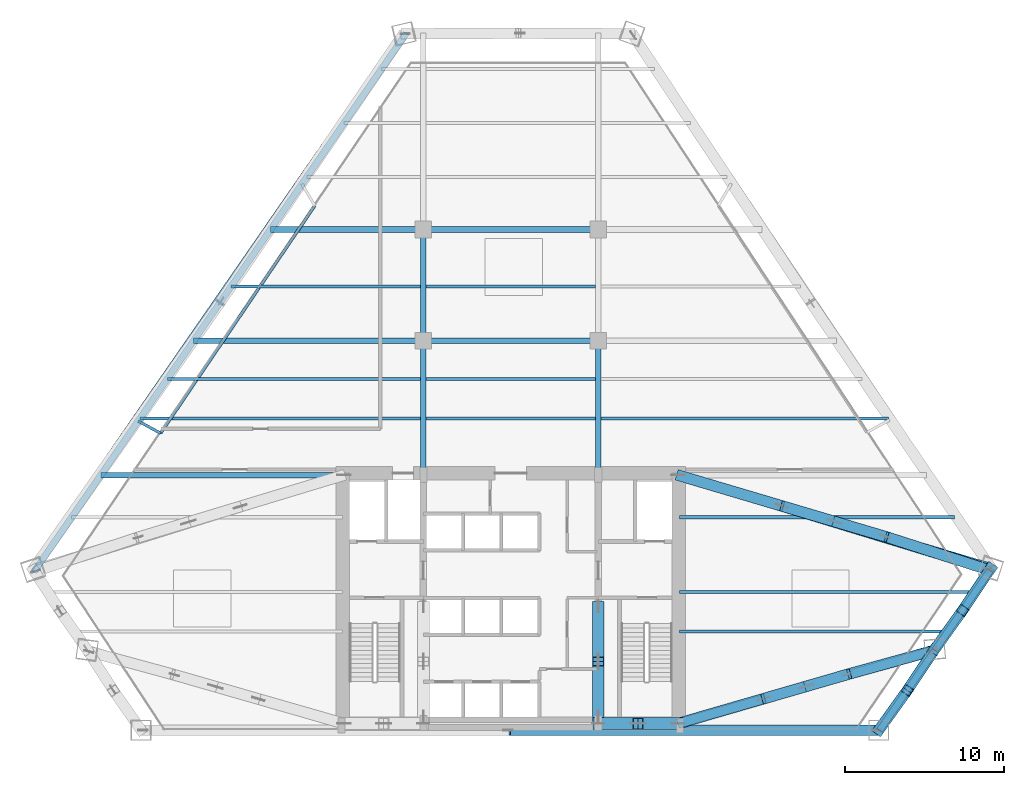
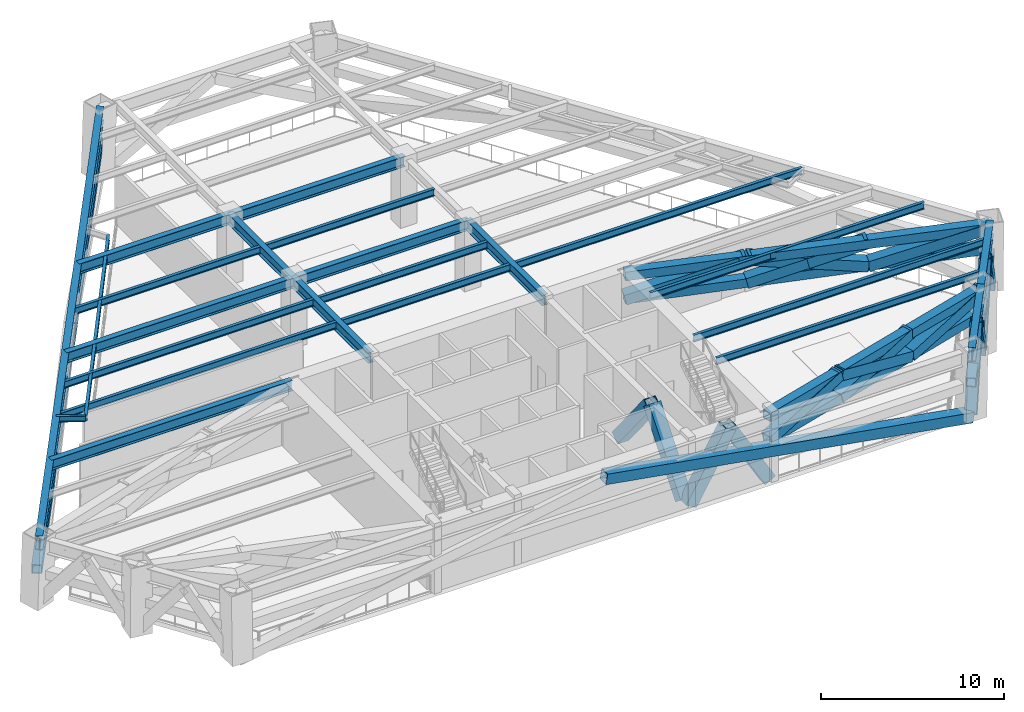
# One storey, part 2 of 10: 26 members, 23 beams.
"""IFC4 building model written with IfcOpenShell, lengths in metres."""

from ifc_helpers import new_model, si_unit, direction, frame, origin, origin_2d, place, context, subcontext, project, spatial, hollow_rectangle, i_section, extrude, source, transform, mapped, material, material_profile, profile_set, type_object, type_shapes, element, save


model = new_model("IFC4")

# Units and contexts
model_context = context("Model", 3, precision=1e-05, world=origin(), true_north=direction((0.0, 1.0)))
body_context = subcontext(model_context, "Body", "Model", "MODEL_VIEW")
ifc_project = project(units=[si_unit("LENGTHUNIT", "METRE"), si_unit("AREAUNIT", "SQUARE_METRE"), si_unit("VOLUMEUNIT", "CUBIC_METRE"), si_unit("PLANEANGLEUNIT", "RADIAN"), si_unit("MASSUNIT", "GRAM", prefix="KILO")], contexts=[model_context])

# Site, building, storey
site_placement = place(None, origin())
site = spatial("IfcSite", under=ifc_project, at=site_placement, CompositionType="ELEMENT")
building_placement = place(site_placement, origin())
building = spatial("IfcBuilding", under=site, at=building_placement, Name="Varnakhor Terracotta Tower", CompositionType="ELEMENT")
storey_placement = place(building_placement, frame((0.0, 0.0, 71.89990234375)))
storey = spatial("IfcBuildingStorey", under=building, at=storey_placement, Name="L17", CompositionType="ELEMENT", Elevation=71.89990234375)

# Beams
ifc_material_1 = material(Name="Steel S355", Category="steel")
ifc_material_profile_1 = material_profile(ifc_material_1, i_section(OverallWidth=0.35498046875, OverallDepth=0.695068359375, WebThickness=0.014892578125, FlangeThickness=0.02490234375, FilletRadius=0.01806640625, at=origin_2d()), Name="W27X146")
ifc_profile_set_1 = profile_set([ifc_material_profile_1], Name="Steel S355")
beam_type_1 = type_object("IfcBeamType", Name="BM-W27X146", PredefinedType="BEAM", material=ifc_profile_set_1)
shared_shape_1 = source(origin(), body_context, "Body", "SweptSolid", [
    extrude(i_section(OverallWidth=0.35498046875, OverallDepth=0.695068359375, WebThickness=0.014892578125, FlangeThickness=0.02490234375, FilletRadius=0.01806640625, at=origin_2d()), origin(), (0.0, 0.0, 1.0), 8.449951171875),
])
type_shapes(beam_type_1, [shared_shape_1])
for number, where, z_axis, x_axis, name in (
    (1, (-5.5, 16.050048828125, 4.1025390625), (0.0, 1.0, 0.0), (-1.0, 0.0, 0.0), "L17 Primary Girder NS1-W"),
    (2, (5.5, 16.050048828125, 4.1025390625), (0.0, 1.0, 0.0), (-1.0, 0.0, 0.0), "L17 Primary Girder NS1-E"),
):
    element("IfcBeam", number, at=place(storey_placement, frame(where, z_axis=z_axis, x_axis=x_axis)), inside=storey, type_object=beam_type_1, Name=name, PredefinedType="BEAM", context=body_context, shape_type="MappedRepresentation", body=[
        mapped(shared_shape_1, transform((0.0, 0.0, 0.0), scale=1.0)),
    ])
shared_shape_2 = source(origin(), body_context, "Body", "SweptSolid", [
    extrude(i_section(OverallWidth=0.35498046875, OverallDepth=0.695068359375, WebThickness=0.014892578125, FlangeThickness=0.02490234375, FilletRadius=0.01806640625, at=origin_2d()), origin(), (0.0, 0.0, 1.0), 7.0),
])
beam_1_placement = place(storey_placement, frame((-5.5, 24.5, 4.1025390625), z_axis=(0.0, 1.0, 0.0), x_axis=(-1.0, 0.0, 0.0)))
element("IfcBeam", 3, at=beam_1_placement, inside=storey, type_object=beam_type_1, Name="L17 Primary Girder NS2-W", PredefinedType="BEAM", context=body_context, shape_type="MappedRepresentation", body=[
    mapped(shared_shape_2, transform((0.0, 0.0, 0.0), scale=1.0)),
])
shared_shape_3 = source(origin(), body_context, "Body", "SweptSolid", [
    extrude(i_section(OverallWidth=0.35498046875, OverallDepth=0.695068359375, WebThickness=0.014892578125, FlangeThickness=0.02490234375, FilletRadius=0.01806640625, at=origin_2d()), origin(), (0.0, 0.0, 1.0), 11.0),
])
for number, where, z_axis, x_axis, name in (
    (4, (-5.5, 24.5, 4.1025390625), (1.0, 0.0, 0.0), (0.0, 1.0, 0.0), "L17 Primary Girder EW2-2"),
    (5, (-5.5, 31.5, 4.1025390625), (1.0, 0.0, 0.0), (0.0, 1.0, 0.0), "L17 Primary Girder EW3-2"),
):
    element("IfcBeam", number, at=place(storey_placement, frame(where, z_axis=z_axis, x_axis=x_axis)), inside=storey, type_object=beam_type_1, Name=name, PredefinedType="BEAM", context=body_context, shape_type="MappedRepresentation", body=[
        mapped(shared_shape_3, transform((0.0, 0.0, 0.0), scale=1.0)),
    ])
ifc_material_profile_2 = material_profile(ifc_material_1, i_section(OverallWidth=0.19189453125, OverallDepth=0.462890625, WebThickness=0.010498046875, FlangeThickness=0.017578125, FilletRadius=0.01806640625, at=origin_2d()), Name="W18X60")
ifc_profile_set_2 = profile_set([ifc_material_profile_2], Name="Steel S355")
beam_type_2 = type_object("IfcBeamType", Name="JST-W18X60", PredefinedType="JOIST", material=ifc_profile_set_2)
shared_shape_4 = source(origin(), body_context, "Body", "SweptSolid", [
    extrude(i_section(OverallWidth=0.19189453125, OverallDepth=0.462890625, WebThickness=0.010498046875, FlangeThickness=0.017578125, FilletRadius=0.01806640625, at=origin_2d()), origin(), (0.0, 0.0, 1.0), 10.65283203125),
])
for number, where, z_axis, x_axis, name in (
    (6, (-5.326416015625, 19.60009765625, 4.218505859375), (1.0, 0.0, 0.0), (0.0, 1.0, 0.0), "L17 Composite Floor Joist 4-2"),
    (7, (-5.326416015625, 22.10009765625, 4.218505859375), (1.0, 0.0, 0.0), (0.0, 1.0, 0.0), "L17 Composite Floor Joist 5-2"),
    (8, (-5.326416015625, 27.89990234375, 4.218505859375), (1.0, 0.0, 0.0), (0.0, 1.0, 0.0), "L17 Composite Floor Joist 6-2"),
):
    element("IfcBeam", number, at=place(storey_placement, frame(where, z_axis=z_axis, x_axis=x_axis)), inside=storey, type_object=beam_type_2, Name=name, PredefinedType="JOIST", context=body_context, shape_type="MappedRepresentation", body=[
        mapped(shared_shape_4, transform((0.0, 0.0, 0.0), scale=1.0)),
    ])
ifc_material_profile_3 = material_profile(ifc_material_1, i_section(OverallWidth=0.41796875, OverallDepth=0.927001953125, WebThickness=0.01904296875, FlangeThickness=0.031982421875, FilletRadius=0.01806640625, at=origin_2d()), Name="W36X231")
ifc_profile_set_3 = profile_set([ifc_material_profile_3], Name="Steel S355")
beam_type_3 = type_object("IfcBeamType", Name="BM-W36X231", PredefinedType="BEAM", material=ifc_profile_set_3)
shared_shape_5 = source(origin(), body_context, "Body", "SweptSolid", [
    extrude(i_section(OverallWidth=0.41796875, OverallDepth=0.927001953125, WebThickness=0.01904296875, FlangeThickness=0.031982421875, FilletRadius=0.01806640625, at=origin_2d()), origin(), (0.0, 0.0, 1.0), 6.113037109375),
])
beam_2_placement = place(storey_placement, frame((23.199462890625, 0.0, 3.986572265625), z_axis=(0.568584718584, 0.822624712608, 0.0), x_axis=(-0.822624712608, 0.568584718584, 0.0)))
element("IfcBeam", 9, at=beam_2_placement, inside=storey, type_object=beam_type_3, Name="L17 Perimeter Spandrel 2", PredefinedType="BEAM", context=body_context, shape_type="MappedRepresentation", body=[
    mapped(shared_shape_5, transform((0.0, 0.0, 0.0), scale=1.0)),
])
shared_shape_6 = source(origin(), body_context, "Body", "SweptSolid", [
    extrude(i_section(OverallWidth=0.41796875, OverallDepth=0.927001953125, WebThickness=0.01904296875, FlangeThickness=0.031982421875, FilletRadius=0.01806640625, at=origin_2d()), origin(), (0.0, 0.0, 1.0), 6.11279296875),
])
beam_3_placement = place(storey_placement, frame((26.67529296875, 5.02880859375, 3.986572265625), z_axis=(0.568576372049, 0.822630481533, 0.0), x_axis=(-0.822630481533, 0.568576372049, 0.0)))
element("IfcBeam", 10, at=beam_3_placement, inside=storey, type_object=beam_type_3, Name="L17 Perimeter Spandrel 3", PredefinedType="BEAM", context=body_context, shape_type="MappedRepresentation", body=[
    mapped(shared_shape_6, transform((0.0, 0.0, 0.0), scale=1.0)),
])
shared_shape_7 = source(origin(), body_context, "Body", "SweptSolid", [
    extrude(i_section(OverallWidth=0.41796875, OverallDepth=0.927001953125, WebThickness=0.01904296875, FlangeThickness=0.031982421875, FilletRadius=0.01806640625, at=origin_2d()), origin(), (0.0, 0.0, 1.0), 41.182861328125),
])
beam_4_placement = place(storey_placement, frame((-6.580078125, 43.84375, 3.986572265625), z_axis=(-0.568587115703, -0.822623055753, 0.0), x_axis=(0.822623055753, -0.568587115703, 0.0)))
element("IfcBeam", 11, at=beam_4_placement, inside=storey, type_object=beam_type_3, Name="L17 Perimeter Spandrel 6", PredefinedType="BEAM", context=body_context, shape_type="MappedRepresentation", body=[
    mapped(shared_shape_7, transform((0.0, 0.0, 0.0), scale=1.0)),
])
ifc_material_profile_4 = material_profile(ifc_material_1, i_section(OverallWidth=0.179931640625, OverallDepth=0.39990234375, WebThickness=0.008544921875, FlangeThickness=0.013427734375, FilletRadius=0.01806640625, at=origin_2d()), Name="IPE400")
ifc_profile_set_4 = profile_set([ifc_material_profile_4], Name="Steel S355")
beam_type_4 = type_object("IfcBeamType", Name="JST-IPE400", PredefinedType="JOIST", material=ifc_profile_set_4)
shared_shape_8 = source(origin(), body_context, "Body", "SweptSolid", [
    extrude(i_section(OverallWidth=0.179931640625, OverallDepth=0.39990234375, WebThickness=0.008544921875, FlangeThickness=0.013427734375, FilletRadius=0.01806640625, at=origin_2d()), origin(), (0.0, 0.0, 1.0), 17.290771484375),
])
beam_5_placement = place(storey_placement, frame((-12.330810546875, 32.995361328125, 4.25), z_axis=(-0.560888730918, -0.827891195465, 0.0), x_axis=(0.827891195465, -0.560888730918, 0.0)))
element("IfcBeam", 12, at=beam_5_placement, inside=storey, type_object=beam_type_4, Name="L17 Loggia Edge Beam 2", PredefinedType="JOIST", context=body_context, shape_type="MappedRepresentation", body=[
    mapped(shared_shape_8, transform((0.0, 0.0, 0.0), scale=1.0)),
])
shared_shape_9 = source(origin(), body_context, "Body", "SweptSolid", [
    extrude(i_section(OverallWidth=0.35498046875, OverallDepth=0.695068359375, WebThickness=0.014892578125, FlangeThickness=0.02490234375, FilletRadius=0.01806640625, at=origin_2d()), origin(), (0.0, 0.0, 1.0), 15.240966796875),
])
beam_6_placement = place(storey_placement, frame((-25.791015625, 16.050048828125, 4.1025390625), z_axis=(1.0, 0.0, 0.0), x_axis=(0.0, 1.0, 0.0)))
element("IfcBeam", 13, at=beam_6_placement, inside=storey, type_object=beam_type_1, Name="L17 Wing Girder W", PredefinedType="BEAM", context=body_context, shape_type="MappedRepresentation", body=[
    mapped(shared_shape_9, transform((0.0, 0.0, 0.0), scale=1.0)),
])
shared_shape_10 = source(origin(), body_context, "Body", "SweptSolid", [
    extrude(i_section(OverallWidth=0.35498046875, OverallDepth=0.695068359375, WebThickness=0.014892578125, FlangeThickness=0.02490234375, FilletRadius=0.01806640625, at=origin_2d()), origin(), (0.0, 0.0, 1.0), 14.450439453125),
])
beam_7_placement = place(storey_placement, frame((-19.950439453125, 24.5, 4.1025390625), z_axis=(1.0, 0.0, 0.0), x_axis=(0.0, 1.0, 0.0)))
element("IfcBeam", 14, at=beam_7_placement, inside=storey, type_object=beam_type_1, Name="L17 Primary Girder EW2-1", PredefinedType="BEAM", context=body_context, shape_type="MappedRepresentation", body=[
    mapped(shared_shape_10, transform((0.0, 0.0, 0.0), scale=1.0)),
])
shared_shape_11 = source(origin(), body_context, "Body", "SweptSolid", [
    extrude(i_section(OverallWidth=0.35498046875, OverallDepth=0.695068359375, WebThickness=0.014892578125, FlangeThickness=0.02490234375, FilletRadius=0.01806640625, at=origin_2d()), origin(), (0.0, 0.0, 1.0), 9.612060546875),
])
beam_8_placement = place(storey_placement, frame((-15.112060546875, 31.5, 4.1025390625), z_axis=(1.0, 0.0, 0.0), x_axis=(0.0, 1.0, 0.0)))
element("IfcBeam", 15, at=beam_8_placement, inside=storey, type_object=beam_type_1, Name="L17 Primary Girder EW3-1", PredefinedType="BEAM", context=body_context, shape_type="MappedRepresentation", body=[
    mapped(shared_shape_11, transform((0.0, 0.0, 0.0), scale=1.0)),
])
shared_shape_12 = source(origin(), body_context, "Body", "SweptSolid", [
    extrude(i_section(OverallWidth=0.19189453125, OverallDepth=0.462890625, WebThickness=0.010498046875, FlangeThickness=0.017578125, FilletRadius=0.01806640625, at=origin_2d()), origin(), (0.0, 0.0, 1.0), 16.884765625),
])
beam_9_placement = place(storey_placement, frame((10.60009765625, 6.199951171875, 4.218505859375), z_axis=(1.0, 0.0, 0.0), x_axis=(0.0, 1.0, 0.0)))
element("IfcBeam", 16, at=beam_9_placement, inside=storey, type_object=beam_type_2, Name="L17 Floor Joist E1", PredefinedType="JOIST", context=body_context, shape_type="MappedRepresentation", body=[
    mapped(shared_shape_12, transform((0.0, 0.0, 0.0), scale=1.0)),
])
shared_shape_13 = source(origin(), body_context, "Body", "SweptSolid", [
    extrude(i_section(OverallWidth=0.19189453125, OverallDepth=0.462890625, WebThickness=0.010498046875, FlangeThickness=0.017578125, FilletRadius=0.01806640625, at=origin_2d()), origin(), (0.0, 0.0, 1.0), 18.61279296875),
])
beam_10_placement = place(storey_placement, frame((10.60009765625, 8.699951171875, 4.218505859375), z_axis=(1.0, 0.0, 0.0), x_axis=(0.0, 1.0, 0.0)))
element("IfcBeam", 17, at=beam_10_placement, inside=storey, type_object=beam_type_2, Name="L17 Floor Joist E2", PredefinedType="JOIST", context=body_context, shape_type="MappedRepresentation", body=[
    mapped(shared_shape_13, transform((0.0, 0.0, 0.0), scale=1.0)),
])
shared_shape_14 = source(origin(), body_context, "Body", "SweptSolid", [
    extrude(i_section(OverallWidth=0.19189453125, OverallDepth=0.462890625, WebThickness=0.010498046875, FlangeThickness=0.017578125, FilletRadius=0.01806640625, at=origin_2d()), origin(), (0.0, 0.0, 1.0), 17.31298828125),
])
beam_11_placement = place(storey_placement, frame((10.60009765625, 13.39990234375, 4.218505859375), z_axis=(1.0, 0.0, 0.0), x_axis=(0.0, 1.0, 0.0)))
element("IfcBeam", 18, at=beam_11_placement, inside=storey, type_object=beam_type_2, Name="L17 Floor Joist E3", PredefinedType="JOIST", context=body_context, shape_type="MappedRepresentation", body=[
    mapped(shared_shape_14, transform((0.0, 0.0, 0.0), scale=1.0)),
])
shared_shape_15 = source(origin(), body_context, "Body", "SweptSolid", [
    extrude(i_section(OverallWidth=0.19189453125, OverallDepth=0.462890625, WebThickness=0.010498046875, FlangeThickness=0.017578125, FilletRadius=0.01806640625, at=origin_2d()), origin(), (0.0, 0.0, 1.0), 17.66357421875),
])
beam_12_placement = place(storey_placement, frame((-23.337158203125, 19.60009765625, 4.218505859375), z_axis=(1.0, 0.0, 0.0), x_axis=(0.0, 1.0, 0.0)))
element("IfcBeam", 19, at=beam_12_placement, inside=storey, type_object=beam_type_2, Name="L17 Composite Floor Joist 4-1", PredefinedType="JOIST", context=body_context, shape_type="MappedRepresentation", body=[
    mapped(shared_shape_15, transform((0.0, 0.0, 0.0), scale=1.0)),
])
shared_shape_16 = source(origin(), body_context, "Body", "SweptSolid", [
    extrude(i_section(OverallWidth=0.19189453125, OverallDepth=0.462890625, WebThickness=0.010498046875, FlangeThickness=0.017578125, FilletRadius=0.01806640625, at=origin_2d()), origin(), (0.0, 0.0, 1.0), 18.088623046875),
])
beam_13_placement = place(storey_placement, frame((5.673583984375, 19.60009765625, 4.218505859375), z_axis=(1.0, 0.0, 0.0), x_axis=(0.0, 1.0, 0.0)))
element("IfcBeam", 20, at=beam_13_placement, inside=storey, type_object=beam_type_2, Name="L17 Composite Floor Joist 4-3", PredefinedType="JOIST", context=body_context, shape_type="MappedRepresentation", body=[
    mapped(shared_shape_16, transform((0.0, 0.0, 0.0), scale=1.0)),
])
shared_shape_17 = source(origin(), body_context, "Body", "SweptSolid", [
    extrude(i_section(OverallWidth=0.19189453125, OverallDepth=0.462890625, WebThickness=0.010498046875, FlangeThickness=0.017578125, FilletRadius=0.01806640625, at=origin_2d()), origin(), (0.0, 0.0, 1.0), 15.935546875),
])
beam_14_placement = place(storey_placement, frame((-21.609130859375, 22.10009765625, 4.218505859375), z_axis=(1.0, 0.0, 0.0), x_axis=(0.0, 1.0, 0.0)))
element("IfcBeam", 21, at=beam_14_placement, inside=storey, type_object=beam_type_2, Name="L17 Composite Floor Joist 5-1", PredefinedType="JOIST", context=body_context, shape_type="MappedRepresentation", body=[
    mapped(shared_shape_17, transform((0.0, 0.0, 0.0), scale=1.0)),
])
shared_shape_18 = source(origin(), body_context, "Body", "SweptSolid", [
    extrude(i_section(OverallWidth=0.19189453125, OverallDepth=0.462890625, WebThickness=0.010498046875, FlangeThickness=0.017578125, FilletRadius=0.01806640625, at=origin_2d()), origin(), (0.0, 0.0, 1.0), 11.9267578125),
])
beam_15_placement = place(storey_placement, frame((-17.600341796875, 27.89990234375, 4.218505859375), z_axis=(1.0, 0.0, 0.0), x_axis=(0.0, 1.0, 0.0)))
element("IfcBeam", 22, at=beam_15_placement, inside=storey, type_object=beam_type_2, Name="L17 Composite Floor Joist 6-1", PredefinedType="JOIST", context=body_context, shape_type="MappedRepresentation", body=[
    mapped(shared_shape_18, transform((0.0, 0.0, 0.0), scale=1.0)),
])

# Members
ifc_material_2 = material(Name="Steel S460", Category="steel")
ifc_material_profile_5 = material_profile(ifc_material_2, hollow_rectangle(XDim=0.75, YDim=0.75, WallThickness=0.044921875, at=origin_2d()), Name="HSS750X750X45")
ifc_profile_set_5 = profile_set([ifc_material_profile_5], Name="Steel S460")
member_type_1 = type_object("IfcMemberType", Name="MBR-MEGA-750", PredefinedType="BRACE", material=ifc_profile_set_5)
shared_shape_19 = source(origin(), body_context, "Body", "SweptSolid", [
    extrude(hollow_rectangle(XDim=0.75, YDim=0.75, WallThickness=0.044921875, at=origin_2d()), origin(), (0.0, 0.0, 1.0), 4.973876953125),
])
for number, where, z_axis, x_axis, name in (
    (23, (5.5, 0.419921875, 0.0), (0.502616191816, 0.0, 0.864509666646), (0.0, 1.0, 0.0), "L17 Core Coupled Brace CSEA"),
    (24, (10.5, 0.419921875, 0.0), (-0.502616191816, 0.0, 0.864509666646), (0.0, -1.0, 0.0), "L17 Core Coupled Brace CSEB"),
):
    element("IfcMember", number, at=place(storey_placement, frame(where, z_axis=z_axis, x_axis=x_axis)), inside=storey, type_object=member_type_1, Name=name, PredefinedType="BRACE", context=body_context, shape_type="MappedRepresentation", body=[
        mapped(shared_shape_19, transform((0.0, 0.0, 0.0), scale=1.0)),
    ])
shared_shape_20 = source(origin(), body_context, "Body", "SweptSolid", [
    extrude(hollow_rectangle(XDim=0.75, YDim=0.75, WallThickness=0.044921875, at=origin_2d()), origin(), (0.0, 0.0, 1.0), 5.528564453125),
])
member_1_placement = place(storey_placement, frame((5.5, 0.85009765625, 0.0), z_axis=(0.0, 0.628527248489, 0.777787566053), x_axis=(-1.0, 0.0, 0.0)))
element("IfcMember", 25, at=member_1_placement, inside=storey, type_object=member_type_1, Name="L17 Core Coupled Brace CWEA", PredefinedType="BRACE", context=body_context, shape_type="MappedRepresentation", body=[
    mapped(shared_shape_20, transform((0.0, 0.0, 0.0), scale=1.0)),
])
shared_shape_21 = source(origin(), body_context, "Body", "SweptSolid", [
    extrude(hollow_rectangle(XDim=0.75, YDim=0.75, WallThickness=0.044921875, at=origin_2d()), origin(), (0.0, 0.0, 1.0), 5.52880859375),
])
member_2_placement = place(storey_placement, frame((5.5, 7.800048828125, 0.0), z_axis=(0.0, -0.628553962037, 0.777765978176), x_axis=(1.0, 0.0, 0.0)))
element("IfcMember", 26, at=member_2_placement, inside=storey, type_object=member_type_1, Name="L17 Core Coupled Brace CWEB", PredefinedType="BRACE", context=body_context, shape_type="MappedRepresentation", body=[
    mapped(shared_shape_21, transform((0.0, 0.0, 0.0), scale=1.0)),
])
ifc_material_profile_6 = material_profile(ifc_material_2, hollow_rectangle(XDim=0.679931640625, YDim=0.679931640625, WallThickness=0.048095703125, at=origin_2d()), Name="HSS680X680X48")
ifc_profile_set_6 = profile_set([ifc_material_profile_6], Name="Steel S460")
member_type_2 = type_object("IfcMemberType", Name="MBR-OUTRIGGER-680", PredefinedType="BRACE", material=ifc_profile_set_6)
shared_shape_22 = source(origin(), body_context, "Body", "SweptSolid", [
    extrude(hollow_rectangle(XDim=0.679931640625, YDim=0.679931640625, WallThickness=0.048095703125, at=origin_2d()), origin(), (0.0, 0.0, 1.0), 23.537353515625),
])
member_3_placement = place(storey_placement, frame((23.135009765625, 0.0, 0.0), z_axis=(-0.985552137361, 0.0, 0.169372325198), x_axis=(0.0, -1.0, 0.0)))
element("IfcMember", 27, at=member_3_placement, inside=storey, type_object=member_type_2, Name="L17 Belt-Truss Diagonal S1B", PredefinedType="BRACE", context=body_context, shape_type="MappedRepresentation", body=[
    mapped(shared_shape_22, transform((0.0, 0.0, 0.0), scale=1.0)),
])
shared_shape_23 = source(origin(), body_context, "Body", "SweptSolid", [
    extrude(hollow_rectangle(XDim=0.679931640625, YDim=0.679931640625, WallThickness=0.048095703125, at=origin_2d()), origin(), (0.0, 0.0, 1.0), 5.046142578125),
])
member_4_placement = place(storey_placement, frame((23.135009765625, 0.0, 0.0), z_axis=(0.357198776, 0.498278503863, 0.790017447284), x_axis=(-0.81274052322, 0.582625816383, 0.0)))
element("IfcMember", 28, at=member_4_placement, inside=storey, type_object=member_type_2, Name="L17 Belt-Truss Diagonal E1A", PredefinedType="BRACE", context=body_context, shape_type="MappedRepresentation", body=[
    mapped(shared_shape_23, transform((0.0, 0.0, 0.0), scale=1.0)),
])
shared_shape_24 = source(origin(), body_context, "Body", "SweptSolid", [
    extrude(hollow_rectangle(XDim=0.679931640625, YDim=0.679931640625, WallThickness=0.048095703125, at=origin_2d()), origin(), (0.0, 0.0, 1.0), 5.0595703125),
])
member_5_placement = place(storey_placement, frame((26.66796875, 5.105224609375, 0.0), z_axis=(-0.342016385696, -0.512059521022, 0.787921213604), x_axis=(0.83156775791, -0.555423319644, 0.0)))
element("IfcMember", 29, at=member_5_placement, inside=storey, type_object=member_type_2, Name="L17 Belt-Truss Diagonal E1B", PredefinedType="BRACE", context=body_context, shape_type="MappedRepresentation", body=[
    mapped(shared_shape_24, transform((0.0, 0.0, 0.0), scale=1.0)),
])
ifc_material_profile_7 = material_profile(ifc_material_2, hollow_rectangle(XDim=0.580078125, YDim=0.580078125, WallThickness=0.0380859375, at=origin_2d()), Name="HSS580X580X38")
ifc_profile_set_7 = profile_set([ifc_material_profile_7], Name="Steel S460")
member_type_3 = type_object("IfcMemberType", Name="MBR-BELT-CHORD-580", PredefinedType="CHORD", material=ifc_profile_set_7)
shared_shape_25 = source(origin(), body_context, "Body", "SweptSolid", [
    extrude(hollow_rectangle(XDim=0.580078125, YDim=0.580078125, WallThickness=0.0380859375, at=origin_2d()), origin(), (0.0, 0.0, 1.0), 6.20849609375),
])
member_6_placement = place(storey_placement, frame((23.135009765625, 0.0, 2.150146484375), z_axis=(0.569054561045, 0.822299766845, 0.0), x_axis=(-0.822299766845, 0.569054561045, 0.0)))
element("IfcMember", 30, at=member_6_placement, inside=storey, type_object=member_type_3, Name="L17 Belt-Truss Bottom Chord E1", PredefinedType="CHORD", context=body_context, shape_type="MappedRepresentation", body=[
    mapped(shared_shape_25, transform((0.0, 0.0, 0.0), scale=1.0)),
])
shared_shape_26 = source(origin(), body_context, "Body", "SweptSolid", [
    extrude(hollow_rectangle(XDim=0.679931640625, YDim=0.679931640625, WallThickness=0.048095703125, at=origin_2d()), origin(), (0.0, 0.0, 1.0), 4.988037109375),
])
member_7_placement = place(storey_placement, frame((26.66796875, 5.105224609375, 0.0), z_axis=(0.34985857462, 0.488715426354, 0.799222253074), x_axis=(-0.813122264128, 0.582092933799, 0.0)))
element("IfcMember", 31, at=member_7_placement, inside=storey, type_object=member_type_2, Name="L17 Belt-Truss Diagonal E2A", PredefinedType="BRACE", context=body_context, shape_type="MappedRepresentation", body=[
    mapped(shared_shape_26, transform((0.0, 0.0, 0.0), scale=1.0)),
])
shared_shape_27 = source(origin(), body_context, "Body", "SweptSolid", [
    extrude(hollow_rectangle(XDim=0.679931640625, YDim=0.679931640625, WallThickness=0.048095703125, at=origin_2d()), origin(), (0.0, 0.0, 1.0), 5.118896484375),
])
member_8_placement = place(storey_placement, frame((30.20068359375, 10.210205078125, 0.0), z_axis=(-0.349220016964, -0.521063737412, 0.778805470773), x_axis=(0.830690858576, -0.556733955743, 0.0)))
element("IfcMember", 32, at=member_8_placement, inside=storey, type_object=member_type_2, Name="L17 Belt-Truss Diagonal E2B", PredefinedType="BRACE", context=body_context, shape_type="MappedRepresentation", body=[
    mapped(shared_shape_27, transform((0.0, 0.0, 0.0), scale=1.0)),
])
shared_shape_28 = source(origin(), body_context, "Body", "SweptSolid", [
    extrude(hollow_rectangle(XDim=0.580078125, YDim=0.580078125, WallThickness=0.0380859375, at=origin_2d()), origin(), (0.0, 0.0, 1.0), 6.208251953125),
])
member_9_placement = place(storey_placement, frame((26.66796875, 5.105224609375, 2.150146484375), z_axis=(0.569046371646, 0.822305434079, 0.0), x_axis=(-0.822305434079, 0.569046371646, 0.0)))
element("IfcMember", 33, at=member_9_placement, inside=storey, type_object=member_type_3, Name="L17 Belt-Truss Bottom Chord E2", PredefinedType="CHORD", context=body_context, shape_type="MappedRepresentation", body=[
    mapped(shared_shape_28, transform((0.0, 0.0, 0.0), scale=1.0)),
])
shared_shape_29 = source(origin(), body_context, "Body", "SweptSolid", [
    extrude(hollow_rectangle(XDim=0.580078125, YDim=0.580078125, WallThickness=0.0380859375, at=origin_2d()), origin(), (0.0, 0.0, 1.0), 40.9560546875),
])
member_10_placement = place(storey_placement, frame((-6.743896484375, 43.8056640625, 2.150146484375), z_axis=(-0.569045681539, -0.822305911642, 0.0), x_axis=(0.822305911642, -0.569045681539, 0.0)))
element("IfcMember", 34, at=member_10_placement, inside=storey, type_object=member_type_3, Name="L17 Belt-Truss Bottom Chord NW", PredefinedType="CHORD", context=body_context, shape_type="MappedRepresentation", body=[
    mapped(shared_shape_29, transform((0.0, 0.0, 0.0), scale=1.0)),
])
shared_shape_30 = source(origin(), body_context, "Body", "SweptSolid", [
    extrude(hollow_rectangle(XDim=0.580078125, YDim=0.580078125, WallThickness=0.0380859375, at=origin_2d()), origin(), (0.0, 0.0, 1.0), 16.833251953125),
])
member_11_placement = place(storey_placement, frame((10.5, 0.419921875, 2.550048828125), z_axis=(0.960483281844, 0.278337682137, 0.0), x_axis=(-0.278337682137, 0.960483281844, 0.0)))
element("IfcMember", 35, at=member_11_placement, inside=storey, type_object=member_type_3, Name="L17 Outrigger Bottom Chord OE1", PredefinedType="CHORD", context=body_context, shape_type="MappedRepresentation", body=[
    mapped(shared_shape_30, transform((0.0, 0.0, 0.0), scale=1.0)),
])
shared_shape_31 = source(origin(), body_context, "Body", "SweptSolid", [
    extrude(hollow_rectangle(XDim=0.580078125, YDim=0.580078125, WallThickness=0.0380859375, at=origin_2d()), origin(), (0.0, 0.0, 1.0), 16.819091796875),
])
member_12_placement = place(storey_placement, frame((10.5, 0.419921875, 4.10009765625), z_axis=(0.961721986868, 0.274027042414, 0.0), x_axis=(-0.274027042414, 0.961721986868, 0.0)))
element("IfcMember", 36, at=member_12_placement, inside=storey, type_object=member_type_3, Name="L17 Outrigger Top Chord OE1", PredefinedType="CHORD", context=body_context, shape_type="MappedRepresentation", body=[
    mapped(shared_shape_31, transform((0.0, 0.0, 0.0), scale=1.0)),
])
shared_shape_32 = source(origin(), body_context, "Body", "SweptSolid", [
    extrude(hollow_rectangle(XDim=0.679931640625, YDim=0.679931640625, WallThickness=0.048095703125, at=origin_2d()), origin(), (0.0, 0.0, 1.0), 5.8212890625),
])
for number, where, z_axis, x_axis, name in (
    (37, (10.5, 0.419921875, 2.550048828125), (0.92580885882, 0.268285357639, 0.266272273823), (-0.278333804828, 0.960484405438, 0.0), "L17 Outrigger Web Diagonal OE1-1"),
    (38, (15.889404296875, 1.981689453125, 4.10009765625), (0.92580885882, 0.268285357639, -0.266272273823), (-0.278333804828, 0.960484405438, 0.0), "L17 Outrigger Continuous X-Diagonal OE1-2"),
):
    element("IfcMember", number, at=place(storey_placement, frame(where, z_axis=z_axis, x_axis=x_axis)), inside=storey, type_object=member_type_2, Name=name, PredefinedType="BRACE", context=body_context, shape_type="MappedRepresentation", body=[
        mapped(shared_shape_32, transform((0.0, 0.0, 0.0), scale=1.0)),
    ])
shared_shape_33 = source(origin(), body_context, "Body", "SweptSolid", [
    extrude(hollow_rectangle(XDim=0.679931640625, YDim=0.679931640625, WallThickness=0.048095703125, at=origin_2d()), origin(), (0.0, 0.0, 1.0), 2.91064453125),
])
for number, where, z_axis, x_axis, name in (
    (39, (15.889404296875, 1.981689453125, 2.550048828125), (0.925782108212, 0.268331699209, 0.266318582366), (-0.278385577074, 0.960469401114, 0.0), "L17 Outrigger Split X-Diagonal OE1-3A"),
    (40, (18.583984375, 2.7626953125, 3.3251953125), (0.925835603914, 0.268239016245, 0.266225965467), (-0.278282034847, 0.960499406081, 0.0), "L17 Outrigger Split X-Diagonal OE1-3B"),
):
    element("IfcMember", number, at=place(storey_placement, frame(where, z_axis=z_axis, x_axis=x_axis)), inside=storey, type_object=member_type_2, Name=name, PredefinedType="BRACE", context=body_context, shape_type="MappedRepresentation", body=[
        mapped(shared_shape_33, transform((0.0, 0.0, 0.0), scale=1.0)),
    ])
shared_shape_34 = source(origin(), body_context, "Body", "SweptSolid", [
    extrude(hollow_rectangle(XDim=0.679931640625, YDim=0.679931640625, WallThickness=0.048095703125, at=origin_2d()), origin(), (0.0, 0.0, 1.0), 5.807861328125),
])
member_13_placement = place(storey_placement, frame((21.27880859375, 3.54345703125, 2.550048828125), z_axis=(0.92917292358, 0.255749550627, 0.266889200679), x_axis=(-0.265375456167, 0.964145148442, 0.0)))
element("IfcMember", 41, at=member_13_placement, inside=storey, type_object=member_type_2, Name="L17 Outrigger Web Diagonal OE1-4", PredefinedType="BRACE", context=body_context, shape_type="MappedRepresentation", body=[
    mapped(shared_shape_34, transform((0.0, 0.0, 0.0), scale=1.0)),
])
shared_shape_35 = source(origin(), body_context, "Body", "SweptSolid", [
    extrude(hollow_rectangle(XDim=0.580078125, YDim=0.580078125, WallThickness=0.0380859375, at=origin_2d()), origin(), (0.0, 0.0, 1.0), 20.548095703125),
])
member_14_placement = place(storey_placement, frame((10.5, 16.050048828125, 2.550048828125), z_axis=(0.958763584931, -0.284204834951, 0.0), x_axis=(0.284204834951, 0.958763584931, 0.0)))
element("IfcMember", 42, at=member_14_placement, inside=storey, type_object=member_type_3, Name="L17 Outrigger Bottom Chord OE2", PredefinedType="CHORD", context=body_context, shape_type="MappedRepresentation", body=[
    mapped(shared_shape_35, transform((0.0, 0.0, 0.0), scale=1.0)),
])
shared_shape_36 = source(origin(), body_context, "Body", "SweptSolid", [
    extrude(hollow_rectangle(XDim=0.580078125, YDim=0.580078125, WallThickness=0.0380859375, at=origin_2d()), origin(), (0.0, 0.0, 1.0), 20.54443359375),
])
member_15_placement = place(storey_placement, frame((10.5, 16.050048828125, 4.10009765625), z_axis=(0.956511390986, -0.291694975812, 0.0), x_axis=(0.291694975812, 0.956511390986, 0.0)))
element("IfcMember", 43, at=member_15_placement, inside=storey, type_object=member_type_3, Name="L17 Outrigger Top Chord OE2", PredefinedType="CHORD", context=body_context, shape_type="MappedRepresentation", body=[
    mapped(shared_shape_36, transform((0.0, 0.0, 0.0), scale=1.0)),
])
shared_shape_37 = source(origin(), body_context, "Body", "SweptSolid", [
    extrude(hollow_rectangle(XDim=0.679931640625, YDim=0.679931640625, WallThickness=0.048095703125, at=origin_2d()), origin(), (0.0, 0.0, 1.0), 7.0224609375),
])
for number, where, z_axis, x_axis, name in (
    (44, (10.5, 16.050048828125, 2.550048828125), (0.935119761392, -0.277184543742, 0.220725532199), (0.284193913118, 0.958766822406, 0.0), "L17 Outrigger Web Diagonal OE2-1"),
    (45, (17.06689453125, 14.103515625, 4.10009765625), (0.935119761392, -0.277184543742, -0.220725532199), (0.284193913118, 0.958766822406, 0.0), "L17 Outrigger Continuous X-Diagonal OE2-2"),
):
    element("IfcMember", number, at=place(storey_placement, frame(where, z_axis=z_axis, x_axis=x_axis)), inside=storey, type_object=member_type_2, Name=name, PredefinedType="BRACE", context=body_context, shape_type="MappedRepresentation", body=[
        mapped(shared_shape_37, transform((0.0, 0.0, 0.0), scale=1.0)),
    ])
shared_shape_38 = source(origin(), body_context, "Body", "SweptSolid", [
    extrude(hollow_rectangle(XDim=0.679931640625, YDim=0.679931640625, WallThickness=0.048095703125, at=origin_2d()), origin(), (0.0, 0.0, 1.0), 3.51123046875),
])
for number, where, z_axis, x_axis, name in (
    (46, (17.06689453125, 14.103515625, 2.550048828125), (0.935103573718, -0.277214510255, 0.220756476062), (0.284226678286, 0.958757109674, 0.0), "L17 Outrigger Split X-Diagonal OE2-3A"),
    (47, (20.350341796875, 13.130126953125, 3.3251953125), (0.935135947646, -0.277154575605, 0.220694586797), (0.284161146954, 0.958776534215, 0.0), "L17 Outrigger Split X-Diagonal OE2-3B"),
):
    element("IfcMember", number, at=place(storey_placement, frame(where, z_axis=z_axis, x_axis=x_axis)), inside=storey, type_object=member_type_2, Name=name, PredefinedType="BRACE", context=body_context, shape_type="MappedRepresentation", body=[
        mapped(shared_shape_38, transform((0.0, 0.0, 0.0), scale=1.0)),
    ])
shared_shape_39 = source(origin(), body_context, "Body", "SweptSolid", [
    extrude(hollow_rectangle(XDim=0.679931640625, YDim=0.679931640625, WallThickness=0.048095703125, at=origin_2d()), origin(), (0.0, 0.0, 1.0), 7.020263671875),
])
member_16_placement = place(storey_placement, frame((23.6337890625, 12.156982421875, 2.550048828125), z_axis=(0.928331452372, -0.299080336046, 0.220797796925), x_axis=(0.306648543061, 0.951822814939, 0.0)))
element("IfcMember", 48, at=member_16_placement, inside=storey, type_object=member_type_2, Name="L17 Outrigger Web Diagonal OE2-4", PredefinedType="BRACE", context=body_context, shape_type="MappedRepresentation", body=[
    mapped(shared_shape_39, transform((0.0, 0.0, 0.0), scale=1.0)),
])

# Beam
shared_shape_40 = source(origin(), body_context, "Body", "SweptSolid", [
    extrude(i_section(OverallWidth=0.179931640625, OverallDepth=0.39990234375, WebThickness=0.008544921875, FlangeThickness=0.013427734375, FilletRadius=0.01806640625, at=origin_2d()), origin(), (0.0, 0.0, 1.0), 1.607666015625),
])
beam_16_placement = place(storey_placement, frame((-22.029052734375, 18.680419921875, 4.25), z_axis=(-0.87742507278, 0.479713708015, 0.0), x_axis=(-0.479713708015, -0.87742507278, 0.0)))
element("IfcBeam", 49, at=beam_16_placement, inside=storey, type_object=beam_type_4, Name="L18 W Loggia Tie Beam 1", PredefinedType="JOIST", context=body_context, shape_type="MappedRepresentation", body=[
    mapped(shared_shape_40, transform((0.0, 0.0, 0.0), scale=1.0)),
])

save(model, "model.ifc")
